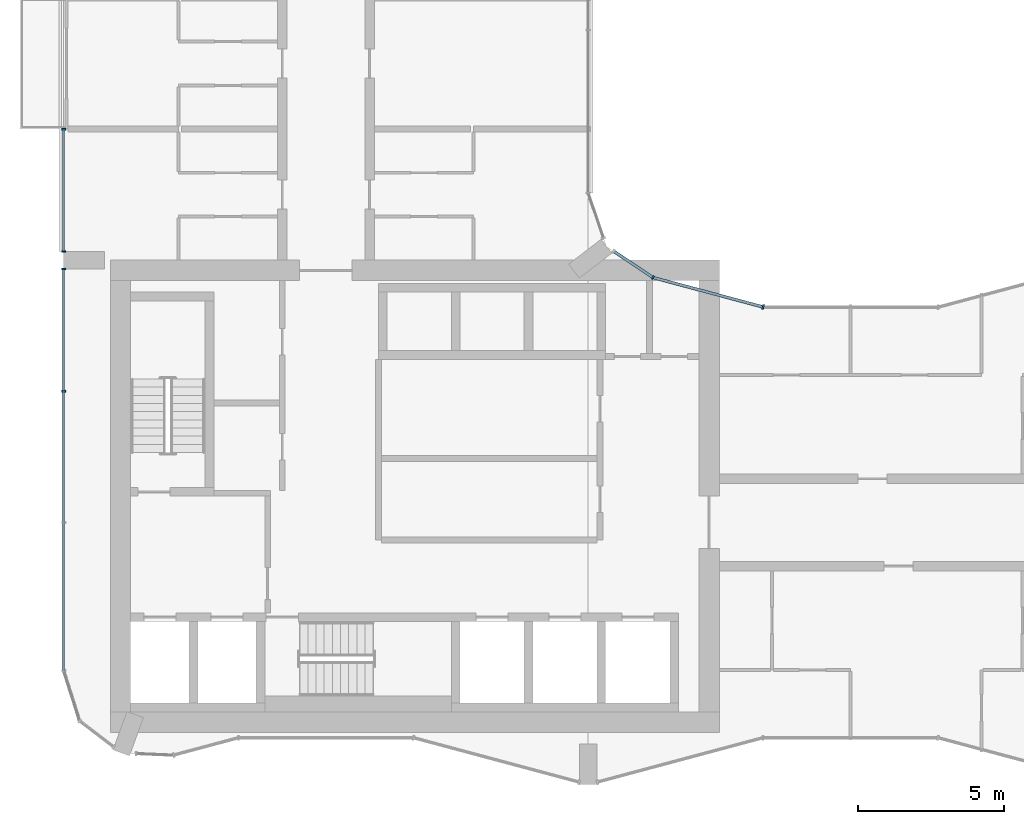
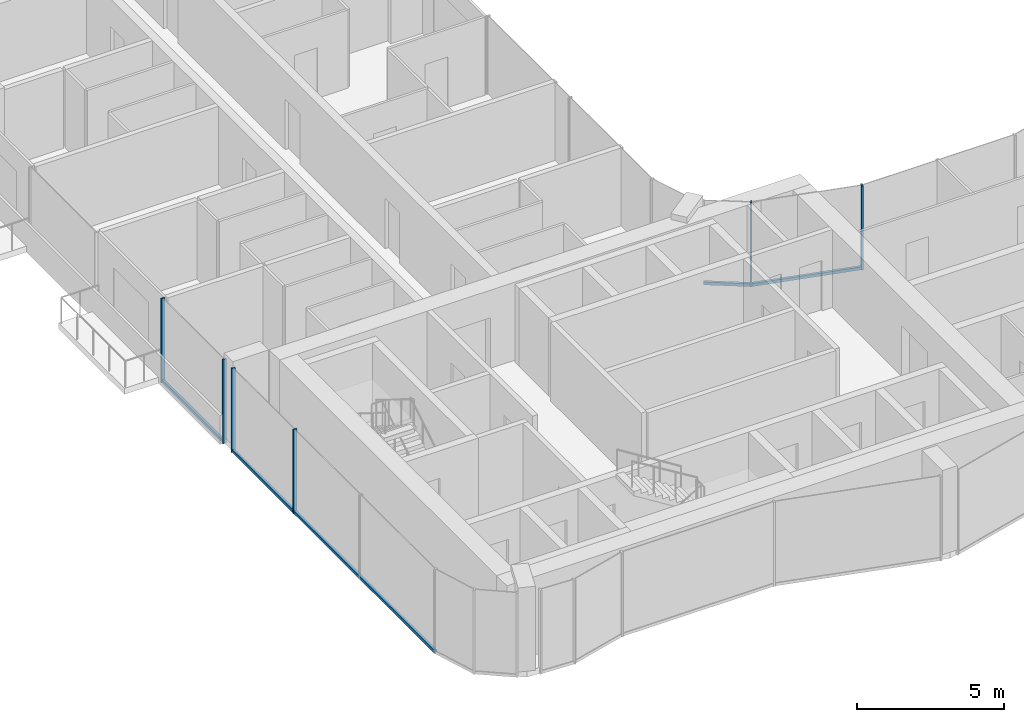
# One storey, part 3 of 23: 10 members, 4 elements without a shape of their own.
"""IFC4 building model written with IfcOpenShell, lengths in metres."""

from ifc_helpers import new_model, si_unit, direction, frame, origin, origin_2d, place, context, subcontext, project, spatial, rectangle, extrude, material, layer, layer_set, material_profile, profile_set, type_object, element, aggregate, save


model = new_model("IFC4")

# Units and contexts
model_context = context("Model", 3, precision=1e-05, world=origin(), true_north=direction((0.0, 1.0)))
body_context = subcontext(model_context, "Body", "Model", "MODEL_VIEW")
ifc_project = project(units=[si_unit("LENGTHUNIT", "METRE"), si_unit("AREAUNIT", "SQUARE_METRE"), si_unit("VOLUMEUNIT", "CUBIC_METRE"), si_unit("PLANEANGLEUNIT", "RADIAN"), si_unit("MASSUNIT", "GRAM", prefix="KILO")], contexts=[model_context])

# Site, building, storey
site_placement = place(None, origin())
site = spatial("IfcSite", under=ifc_project, at=site_placement, CompositionType="ELEMENT")
building_placement = place(site_placement, origin())
building = spatial("IfcBuilding", under=site, at=building_placement, Name="Plateau Cross Towers", CompositionType="ELEMENT")
storey_placement = place(building_placement, frame((0.0, 0.0, 95.800048828125)))
storey = spatial("IfcBuildingStorey", under=building, at=storey_placement, Name="L24", CompositionType="ELEMENT", Elevation=95.800048828125)

# Curtain wall, member
ifc_material_1 = material(Name="Dark low-iron glass", Category="glass")
ifc_layer_1 = layer(ifc_material_1, 0.239990234375)
ifc_layer_set_1 = layer_set([ifc_layer_1], Name="Dark low-iron glass")
curtain_wall_type_1 = type_object("IfcCurtainWallType", Name="Curtain wall flush unitised CW-B", PredefinedType="NOTDEFINED", material=ifc_layer_set_1)
curtain_wall_1_placement = place(storey_placement, origin())
curtain_wall_1 = element("IfcCurtainWall", 1, at=curtain_wall_1_placement, inside=storey, type_object=curtain_wall_type_1, Name="ENV/A/L24/A202_174", PredefinedType="NOTDEFINED")
ifc_material_2 = material(Name="Black anodised aluminium", Category="aluminium")
ifc_material_profile_1 = material_profile(ifc_material_2, rectangle(XDim=0.06005859375, YDim=0.139892578125, at=origin_2d()), Name="MULLION 60x140")
ifc_profile_set_1 = profile_set([ifc_material_profile_1], Name="Black anodised aluminium")
member_type_1 = type_object("IfcMemberType", Name="Mullion 60x140 flush unitised", PredefinedType="MULLION", material=ifc_profile_set_1)
member_1_placement = place(storey_placement, frame((20.223876953125, 17.404296875, -0.25), z_axis=(0.0, 0.0, 1.0), x_axis=(-0.831521253329, 0.555492938984, 0.0)))
member_1 = element("IfcMember", 2, at=member_1_placement, type_object=member_type_1, Name="CW-B mullion 1", PredefinedType="MULLION", context=body_context, shape_type="SweptSolid", body=[
    extrude(rectangle(XDim=0.06005859375, YDim=0.139892578125, at=origin_2d()), origin(), (0.0, 0.0, 1.0), 3.5),
])

# Curtain wall, members
curtain_wall_2_placement = place(storey_placement, origin())
curtain_wall_2 = element("IfcCurtainWall", 3, at=curtain_wall_2_placement, inside=storey, type_object=curtain_wall_type_1, Name="ENV/A/L24/A0_225", PredefinedType="NOTDEFINED")
member_2_placement = place(storey_placement, frame((0.0, 22.489990234375, -0.25), z_axis=(0.0, 0.0, 1.0), x_axis=(0.0, -1.0, 0.0)))
member_2 = element("IfcMember", 4, at=member_2_placement, type_object=member_type_1, Name="CW-B mullion 1", PredefinedType="MULLION", context=body_context, shape_type="SweptSolid", body=[
    extrude(rectangle(XDim=0.06005859375, YDim=0.139892578125, at=origin_2d()), origin(), (0.0, 0.0, 1.0), 3.5),
])
member_3_placement = place(storey_placement, frame((0.0, 18.300048828125, -0.25), z_axis=(0.0, 0.0, 1.0), x_axis=(0.0, -1.0, 0.0)))
member_3 = element("IfcMember", 5, at=member_3_placement, type_object=member_type_1, Name="CW-B mullion 2", PredefinedType="MULLION", context=body_context, shape_type="SweptSolid", body=[
    extrude(rectangle(XDim=0.06005859375, YDim=0.139892578125, at=origin_2d()), origin(), (0.0, 0.0, 1.0), 3.5),
])

curtain_wall_3_placement = place(storey_placement, origin())
curtain_wall_3 = element("IfcCurtainWall", 6, at=curtain_wall_3_placement, inside=storey, type_object=curtain_wall_type_1, Name="ENV/A/L24/A0_177", PredefinedType="NOTDEFINED")
member_4_placement = place(storey_placement, frame((0.0, 17.699951171875, -0.25), z_axis=(0.0, 0.0, 1.0), x_axis=(0.0, -1.0, 0.0)))
member_4 = element("IfcMember", 7, at=member_4_placement, type_object=member_type_1, Name="CW-B mullion 1", PredefinedType="MULLION", context=body_context, shape_type="SweptSolid", body=[
    extrude(rectangle(XDim=0.06005859375, YDim=0.139892578125, at=origin_2d()), origin(), (0.0, 0.0, 1.0), 3.5),
])
member_5_placement = place(storey_placement, frame((0.0, 13.5, -0.25), z_axis=(0.0, 0.0, 1.0), x_axis=(0.0, -1.0, 0.0)))
member_5 = element("IfcMember", 8, at=member_5_placement, type_object=member_type_1, Name="CW-B mullion 2", PredefinedType="MULLION", context=body_context, shape_type="SweptSolid", body=[
    extrude(rectangle(XDim=0.06005859375, YDim=0.139892578125, at=origin_2d()), origin(), (0.0, 0.0, 1.0), 3.5),
])

# Curtain wall, member
ifc_layer_2 = layer(ifc_material_1, 0.260009765625)
ifc_layer_set_2 = layer_set([ifc_layer_2], Name="Dark low-iron glass")
curtain_wall_type_2 = type_object("IfcCurtainWallType", Name="Curtain wall fluted unitised CW-A", PredefinedType="NOTDEFINED", material=ifc_layer_set_2)
curtain_wall_4_placement = place(storey_placement, origin())
curtain_wall_4 = element("IfcCurtainWall", 9, at=curtain_wall_4_placement, inside=storey, type_object=curtain_wall_type_2, Name="ENV/A/L24/A240_164", PredefinedType="NOTDEFINED")
ifc_material_profile_2 = material_profile(ifc_material_2, rectangle(XDim=0.06005859375, YDim=0.159912109375, at=origin_2d()), Name="MULLION 60x160")
ifc_profile_set_2 = profile_set([ifc_material_profile_2], Name="Black anodised aluminium")
member_type_2 = type_object("IfcMemberType", Name="Mullion 60x160 fluted unitised", PredefinedType="MULLION", material=ifc_profile_set_2)
member_6_placement = place(storey_placement, frame((24.0, 16.39306640625, -0.25), z_axis=(0.0, 0.0, 1.0), x_axis=(-0.965957995816, 0.258698956933, 0.0)))
member_6 = element("IfcMember", 10, at=member_6_placement, type_object=member_type_2, Name="CW-A mullion 1", PredefinedType="MULLION", context=body_context, shape_type="SweptSolid", body=[
    extrude(rectangle(XDim=0.06005859375, YDim=0.159912109375, at=origin_2d()), origin(), (0.0, 0.0, 1.0), 3.5),
])

# Member
ifc_material_profile_3 = material_profile(ifc_material_2, rectangle(XDim=0.10009765625, YDim=0.1201171875, at=origin_2d()), Name="TRANSOM 100x120")
ifc_profile_set_3 = profile_set([ifc_material_profile_3], Name="Black anodised aluminium")
member_type_3 = type_object("IfcMemberType", Name="Transom 100x120 flush unitised", PredefinedType="USERDEFINED", material=ifc_profile_set_3)
member_7_placement = place(storey_placement, frame((20.223876953125, 17.404296875, -0.18994140625), z_axis=(-0.831496402487, 0.555530136582, 0.0), x_axis=(-0.555530136582, -0.831496402487, 0.0)))
member_7 = element("IfcMember", 11, at=member_7_placement, type_object=member_type_3, Name="CW-B transom", ObjectType="TRANSOM", PredefinedType="USERDEFINED", context=body_context, shape_type="SweptSolid", body=[
    extrude(rectangle(XDim=0.10009765625, YDim=0.1201171875, at=origin_2d()), origin(), (0.0, 0.0, 1.0), 1.628662109375),
])

aggregate(curtain_wall_1, [member_1, member_7])

member_8_placement = place(storey_placement, frame((0.0, 22.489990234375, -0.18994140625), z_axis=(0.0, -1.0, 0.0), x_axis=(1.0, 0.0, 0.0)))
member_8 = element("IfcMember", 12, at=member_8_placement, type_object=member_type_3, Name="CW-B transom", ObjectType="TRANSOM", PredefinedType="USERDEFINED", context=body_context, shape_type="SweptSolid", body=[
    extrude(rectangle(XDim=0.10009765625, YDim=0.1201171875, at=origin_2d()), origin(), (0.0, 0.0, 1.0), 4.18994140625),
])

aggregate(curtain_wall_2, [member_2, member_3, member_8])

member_9_placement = place(storey_placement, frame((0.0, 17.699951171875, -0.18994140625), z_axis=(0.0, -1.0, 0.0), x_axis=(1.0, 0.0, 0.0)))
member_9 = element("IfcMember", 13, at=member_9_placement, type_object=member_type_3, Name="CW-B transom", ObjectType="TRANSOM", PredefinedType="USERDEFINED", context=body_context, shape_type="SweptSolid", body=[
    extrude(rectangle(XDim=0.10009765625, YDim=0.1201171875, at=origin_2d()), origin(), (0.0, 0.0, 1.0), 13.790771484375),
])

aggregate(curtain_wall_3, [member_4, member_5, member_9])

ifc_material_profile_4 = material_profile(ifc_material_2, rectangle(XDim=0.10009765625, YDim=0.1201171875, at=origin_2d()), Name="TRANSOM 100x120")
ifc_profile_set_4 = profile_set([ifc_material_profile_4], Name="Black anodised aluminium")
member_type_4 = type_object("IfcMemberType", Name="Transom 100x120 fluted unitised", PredefinedType="USERDEFINED", material=ifc_profile_set_4)
member_10_placement = place(storey_placement, frame((24.0, 16.39306640625, -0.18994140625), z_axis=(-0.965962822393, 0.25868093427, 0.0), x_axis=(-0.25868093427, -0.965962822393, 0.0)))
member_10 = element("IfcMember", 14, at=member_10_placement, type_object=member_type_4, Name="CW-A transom", ObjectType="TRANSOM", PredefinedType="USERDEFINED", context=body_context, shape_type="SweptSolid", body=[
    extrude(rectangle(XDim=0.10009765625, YDim=0.1201171875, at=origin_2d()), origin(), (0.0, 0.0, 1.0), 3.9091796875),
])

aggregate(curtain_wall_4, [member_6, member_10])

save(model, "model.ifc")
